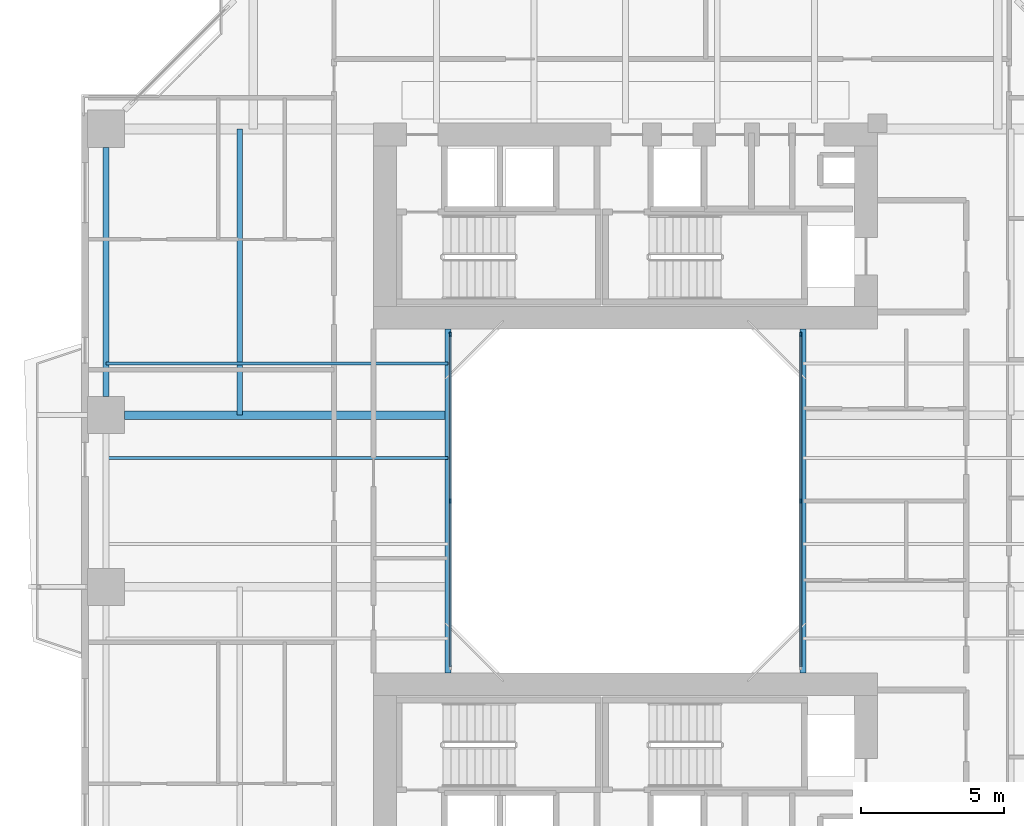
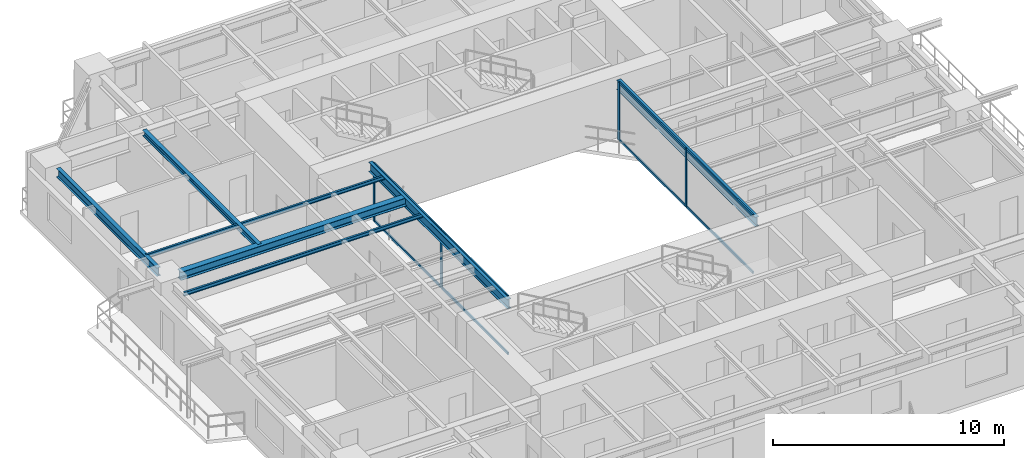
# One storey, part 4 of 22: 12 members, 7 beams, 2 elements without a shape of their own.
"""IFC4 building model written with IfcOpenShell, lengths in metres."""

import ifcopenshell
import ifcopenshell.guid

model = None  # the IFC model being written
_history = None  # IfcOwnerHistory: only IFC2X3 demands one
_inside = {}  # id of a spatial element -> (the spatial element, [elements in it])
_under = {}  # id of a project, library or spatial element -> (it, [spatial elements below it])
_declared = {}  # id of a project -> (the project, [libraries it declares])
_typed = {}  # id of a type object -> (the type object, [elements of that type])
_made_of = {}  # id of a material, layer set ... -> (it, [elements and type objects made of it])


def new_model(schema):
    """Start an empty IFC model of exactly this schema.

    Asked for "IFC4X3", IfcOpenShell would pick the latest addendum, in which some entities
    have other attributes; the version numbers below select the first issue.
    IFC2X3 requires an IfcOwnerHistory on every rooted entity: one is made here for all.
    """
    global model, _history
    if schema == "IFC4X3":
        model = ifcopenshell.file(schema_version=(4, 3, 0, 0))
    else:
        model = ifcopenshell.file(schema=schema)
    _inside.clear()
    _under.clear()
    _declared.clear()
    _typed.clear()
    _made_of.clear()
    _history = None
    if model.schema == "IFC2X3":
        org = make("IfcOrganization", Name="unknown")
        user = make(
            "IfcPersonAndOrganization",
            ThePerson=make("IfcPerson", FamilyName="unknown"),
            TheOrganization=org,
        )
        app = make(
            "IfcApplication",
            ApplicationDeveloper=org,
            Version="unknown",
            ApplicationFullName="unknown",
            ApplicationIdentifier="unknown",
        )
        _history = make(
            "IfcOwnerHistory",
            OwningUser=user,
            OwningApplication=app,
            ChangeAction="ADDED",
            CreationDate=0,
        )
    return model


def make(cls, **values):
    """One entity of the class cls with the attributes given. An attribute that is None is left unset."""
    return model.create_entity(
        cls, **{name: value for name, value in values.items() if value is not None}
    )


def rooted(cls, **values):
    """An entity with a GlobalId (a new one), such as an element, a storey or a relation."""
    return make(cls, GlobalId=ifcopenshell.guid.new(), OwnerHistory=_history, **values)


def si_unit(unit_type, name, prefix=None):
    """IfcSIUnit, for example si_unit("LENGTHUNIT", "METRE", prefix="MILLI")."""
    return make("IfcSIUnit", UnitType=unit_type, Prefix=prefix, Name=name)


def assignment(units):
    """IfcUnitAssignment: the units of a project."""
    return None if units is None else make("IfcUnitAssignment", Units=units)


def point(xyz):
    """IfcCartesianPoint."""
    return None if xyz is None else make("IfcCartesianPoint", Coordinates=xyz)


def direction(xyz):
    """IfcDirection."""
    return None if xyz is None else make("IfcDirection", DirectionRatios=xyz)


def frame(location, z_axis=None, x_axis=None):
    """IfcAxis2Placement3D, a coordinate frame: its origin and axes. An axis left out is left unset."""
    return make(
        "IfcAxis2Placement3D",
        Location=point(location),
        Axis=direction(z_axis),
        RefDirection=direction(x_axis),
    )


def frame_2d(location, x_axis=None):
    """IfcAxis2Placement2D, a coordinate frame in the plane: its origin and x axis."""
    return make(
        "IfcAxis2Placement2D", Location=point(location), RefDirection=direction(x_axis)
    )


def origin():
    """The frame at (0, 0, 0) with its axes left unset."""
    return frame((0.0, 0.0, 0.0))


def origin_2d():
    """The frame at (0, 0) in the plane with its x axis left unset."""
    return frame_2d((0.0, 0.0))


def place(relative_to, where):
    """IfcLocalPlacement: puts the frame where relative to a parent placement (None: the world)."""
    return make(
        "IfcLocalPlacement", PlacementRelTo=relative_to, RelativePlacement=where
    )


def context(
    kind, dimensions, precision=None, world=None, true_north=None, identifier=None
):
    """IfcGeometricRepresentationContext, for example the 3D "Model" context."""
    return make(
        "IfcGeometricRepresentationContext",
        ContextIdentifier=identifier,
        ContextType=kind,
        CoordinateSpaceDimension=dimensions,
        Precision=precision,
        WorldCoordinateSystem=world,
        TrueNorth=true_north,
    )


def subcontext(parent, identifier, kind, view, scale=None):
    """IfcGeometricRepresentationSubContext, for example "Body" below "Model"."""
    return make(
        "IfcGeometricRepresentationSubContext",
        ContextIdentifier=identifier,
        ContextType=kind,
        ParentContext=parent,
        TargetScale=scale,
        TargetView=view,
    )


def project(units=None, contexts=None):
    """IfcProject with its units and contexts."""
    return rooted(
        "IfcProject",
        Name="project",
        RepresentationContexts=contexts,
        UnitsInContext=assignment(units),
    )


def spatial(cls, under=None, at=None, **own):
    """A site, building, storey or space (cls), placed at a placement, below another one or the project."""
    s = rooted(cls, ObjectPlacement=at, **own)
    if under is not None:
        _under.setdefault(under.id(), (under, []))[1].append(s)
    return s


def profile(cls, at=None, kind="AREA", **sizes):
    """A parametric profile (cls). Its sizes go by their IFC names, for example OverallWidth=200.0."""
    return make(cls, ProfileType=kind, Position=at, **sizes)


def rectangle(**sizes):
    """IfcRectangleProfileDef."""
    return profile("IfcRectangleProfileDef", **sizes)


def i_section(**sizes):
    """IfcIShapeProfileDef."""
    return profile("IfcIShapeProfileDef", **sizes)


def extrude(swept, where, along, depth):
    """IfcExtrudedAreaSolid: the profile swept, set in the frame where, extruded along a direction by depth."""
    return make(
        "IfcExtrudedAreaSolid",
        SweptArea=swept,
        Position=where,
        ExtrudedDirection=direction(along),
        Depth=depth,
    )


def shape(context_of_items, identifier, shape_type, items):
    """IfcShapeRepresentation: the items that make up one representation, for example the "Body"."""
    return make(
        "IfcShapeRepresentation",
        ContextOfItems=context_of_items,
        RepresentationIdentifier=identifier,
        RepresentationType=shape_type,
        Items=items,
    )


def source(mapping_origin, context_of_items, identifier, shape_type, items):
    """IfcRepresentationMap: a shape defined once, which mapped items show again and again."""
    return make(
        "IfcRepresentationMap",
        MappingOrigin=mapping_origin,
        MappedRepresentation=shape(context_of_items, identifier, shape_type, items),
    )


def transform(
    local_origin,
    x_axis=None,
    y_axis=None,
    z_axis=None,
    scale=None,
    scale2=None,
    scale3=None,
    uniform=True,
):
    """IfcCartesianTransformationOperator3D, or its non-uniform kind. x_axis, y_axis, z_axis: its Axis1, 2, 3."""
    if uniform:
        return make(
            "IfcCartesianTransformationOperator3D",
            Axis1=direction(x_axis),
            Axis2=direction(y_axis),
            LocalOrigin=point(local_origin),
            Scale=scale,
            Axis3=direction(z_axis),
        )
    return make(
        "IfcCartesianTransformationOperator3DnonUniform",
        Axis1=direction(x_axis),
        Axis2=direction(y_axis),
        LocalOrigin=point(local_origin),
        Scale=scale,
        Axis3=direction(z_axis),
        Scale2=scale2,
        Scale3=scale3,
    )


def mapped(mapping_source, mapping_target):
    """IfcMappedItem: shows the shape of a source again, moved by a transform."""
    return make(
        "IfcMappedItem", MappingSource=mapping_source, MappingTarget=mapping_target
    )


def material(Name=None, Category=None):
    """IfcMaterial."""
    return make("IfcMaterial", Name=Name, Category=Category)


def layer(
    of_material, thickness, ventilated=None, Name=None, Category=None, Priority=None
):
    """IfcMaterialLayer: one layer of a wall or slab, of a material (None: an air gap)."""
    return make(
        "IfcMaterialLayer",
        Material=of_material,
        LayerThickness=thickness,
        IsVentilated=ventilated,
        Name=Name,
        Category=Category,
        Priority=Priority,
    )


def layer_set(layers, Name=None):
    """IfcMaterialLayerSet."""
    return make("IfcMaterialLayerSet", MaterialLayers=layers, LayerSetName=Name)


def material_profile(
    of_material, cross_section, Name=None, Category=None, Priority=None
):
    """IfcMaterialProfile: a cross section and its material."""
    return make(
        "IfcMaterialProfile",
        Name=Name,
        Material=of_material,
        Profile=cross_section,
        Priority=Priority,
        Category=Category,
    )


def profile_set(profiles, Name=None, composite=None):
    """IfcMaterialProfileSet."""
    return make(
        "IfcMaterialProfileSet",
        Name=Name,
        MaterialProfiles=profiles,
        CompositeProfile=composite,
    )


def made_of(thing, what):
    """Note that an element or type object is made of a material, layer set ...; save() writes the relation."""
    if what is not None:
        _made_of.setdefault(what.id(), (what, []))[1].append(thing)
    return thing


def type_object(cls, material=None, **own):
    """A type object (cls), such as IfcWallType, which elements share."""
    return made_of(rooted(cls, **own), material)


def element(
    cls,
    number,
    at=None,
    inside=None,
    cuts=None,
    type_object=None,
    material=None,
    context=None,
    identifier="Body",
    shape_type=None,
    held_by="IfcProductDefinitionShape",
    body=None,
    shapes=None,
    **own,
):
    """One element of the class cls, such as IfcWall. Its Tag is "e" and its number.

    at: its placement. inside: the storey or other place that contains it. cuts: it is an
    opening in that element (IfcRelVoidsElement). A single representation is given by context,
    identifier, shape_type and body (its items); several are given by shapes. held_by: the class
    of the entity that holds the representations. save() writes the other relations.
    """
    e = rooted(cls, Tag="e%d" % number, ObjectPlacement=at, **own)
    if body is not None:
        shapes = [shape(context, identifier, shape_type, body)]
    if shapes is not None:
        e.Representation = make(held_by, Representations=shapes)
    if inside is not None:
        _inside.setdefault(inside.id(), (inside, []))[1].append(e)
    if cuts is not None:
        rooted(
            "IfcRelVoidsElement", RelatingBuildingElement=cuts, RelatedOpeningElement=e
        )
    if type_object is not None:
        _typed.setdefault(type_object.id(), (type_object, []))[1].append(e)
    return made_of(e, material)


def aggregate(whole, parts):
    """IfcRelAggregates: a whole, such as a stair, and the parts it consists of."""
    return rooted("IfcRelAggregates", RelatingObject=whole, RelatedObjects=parts)


def save(model, path):
    """Write the relations noted so far, then the file.

    IfcRelAggregates (storeys below a building ...), IfcRelContainedInSpatialStructure (elements
    in a storey), IfcRelDefinesByType, IfcRelAssociatesMaterial and IfcRelDeclares: one each for
    every whole, place, type object, material and project.
    """
    for whole, parts in _under.values():
        aggregate(whole, parts)
    for where, things in _inside.values():
        rooted(
            "IfcRelContainedInSpatialStructure",
            RelatedElements=things,
            RelatingStructure=where,
        )
    for kind, things in _typed.values():
        rooted("IfcRelDefinesByType", RelatedObjects=things, RelatingType=kind)
    for what, things in _made_of.values():
        rooted("IfcRelAssociatesMaterial", RelatedObjects=things, RelatingMaterial=what)
    for by, libraries in _declared.values():
        rooted("IfcRelDeclares", RelatingContext=by, RelatedDefinitions=libraries)
    model.write(path)


model = new_model("IFC4")

# Units and contexts
model_context = context("Model", 3, precision=1e-05, world=origin(), true_north=direction((0.0, 1.0)))
body_context = subcontext(model_context, "Body", "Model", "MODEL_VIEW")
ifc_project = project(units=[si_unit("LENGTHUNIT", "METRE"), si_unit("AREAUNIT", "SQUARE_METRE"), si_unit("VOLUMEUNIT", "CUBIC_METRE"), si_unit("PLANEANGLEUNIT", "RADIAN"), si_unit("MASSUNIT", "GRAM", prefix="KILO"), si_unit("THERMODYNAMICTEMPERATUREUNIT", "KELVIN"), si_unit("POWERUNIT", "WATT")], contexts=[model_context])

# Site, building, storey
site_placement = place(None, origin())
site = spatial("IfcSite", under=ifc_project, at=site_placement, CompositionType="ELEMENT")
building_placement = place(site_placement, origin())
building = spatial("IfcBuilding", under=site, at=building_placement, Name="Qiaomeng Ring Towers", CompositionType="ELEMENT")
storey_placement = place(building_placement, frame((0.0, 0.0, 53.5)))
storey = spatial("IfcBuildingStorey", under=building, at=storey_placement, Name="L14", CompositionType="ELEMENT", Elevation=53.5)

# Beams
ifc_material_1 = material(Name="Steel Q355B", Category="steel")
ifc_material_profile_1 = material_profile(ifc_material_1, i_section(OverallWidth=0.199951171875, OverallDepth=0.5, WebThickness=0.010009765625, FlangeThickness=0.01611328125, FilletRadius=0.02001953125, at=origin_2d()), Name="HN 500x200x10x16")
ifc_profile_set_1 = profile_set([ifc_material_profile_1], Name="Steel Q355B")
beam_type_1 = type_object("IfcBeamType", Name="STR-BM-HN500", PredefinedType="BEAM", material=ifc_profile_set_1)
shared_shape_1 = source(origin(), body_context, "Body", "SweptSolid", [
    extrude(i_section(OverallWidth=0.199951171875, OverallDepth=0.5, WebThickness=0.010009765625, FlangeThickness=0.01611328125, FilletRadius=0.02001953125, at=origin_2d()), origin(), (0.0, 0.0, 1.0), 12.0),
])
for number, where, z_axis, x_axis, name in (
    (1, (12.800048828125, 17.0, 2.820068359375), (0.0, 1.0, 0.0), (-1.0, 0.0, 0.0), "L14 beam STR-BM-L14-WELL-W"),
    (2, (25.199951171875, 17.0, 2.820068359375), (0.0, 1.0, 0.0), (-1.0, 0.0, 0.0), "L14 beam STR-BM-L14-WELL-E"),
):
    element("IfcBeam", number, at=place(storey_placement, frame(where, z_axis=z_axis, x_axis=x_axis)), inside=storey, type_object=beam_type_1, Name=name, PredefinedType="BEAM", context=body_context, shape_type="MappedRepresentation", body=[
        mapped(shared_shape_1, transform((0.0, 0.0, 0.0), x_axis=(1.0, 0.0, 0.0), y_axis=(0.0, 1.0, 0.0), z_axis=(0.0, 0.0, 1.0), scale=1.0)),
    ])
ifc_material_profile_2 = material_profile(ifc_material_1, i_section(OverallWidth=0.199951171875, OverallDepth=0.449951171875, WebThickness=0.009033203125, FlangeThickness=0.013916015625, FilletRadius=0.01806640625, at=origin_2d()), Name="HN 450x200x9x14")
ifc_profile_set_2 = profile_set([ifc_material_profile_2], Name="Steel Q355B")
beam_type_2 = type_object("IfcBeamType", Name="STR-BM-HN450", PredefinedType="SPANDREL", material=ifc_profile_set_2)
shared_shape_2 = source(origin(), body_context, "Body", "SweptSolid", [
    extrude(i_section(OverallWidth=0.199951171875, OverallDepth=0.449951171875, WebThickness=0.009033203125, FlangeThickness=0.013916015625, FilletRadius=0.01806640625, at=origin_2d()), origin(), (0.0, 0.0, 1.0), 8.7021484375),
])
beam_1_placement = place(storey_placement, frame((0.85009765625, 35.35107421875, 2.844970703125), z_axis=(0.0, -1.0, 0.0), x_axis=(1.0, 0.0, 0.0)))
element("IfcBeam", 3, at=beam_1_placement, inside=storey, type_object=beam_type_2, Name="L14 beam STR-SP-L14-T1-W4-W3", PredefinedType="SPANDREL", context=body_context, shape_type="MappedRepresentation", body=[
    mapped(shared_shape_2, transform((0.0, 0.0, 0.0), x_axis=(1.0, 0.0, 0.0), y_axis=(0.0, 1.0, 0.0), z_axis=(0.0, 0.0, 1.0), scale=1.0)),
])
ifc_material_profile_3 = material_profile(ifc_material_1, i_section(OverallWidth=0.300048828125, OverallDepth=0.43994140625, WebThickness=0.010986328125, FlangeThickness=0.01806640625, FilletRadius=0.02392578125, at=origin_2d()), Name="HM 440x300x11x18")
ifc_profile_set_3 = profile_set([ifc_material_profile_3], Name="Steel Q355B")
beam_type_3 = type_object("IfcBeamType", Name="STR-BM-HM440", PredefinedType="BEAM", material=ifc_profile_set_3)
shared_shape_3 = source(origin(), body_context, "Body", "SweptSolid", [
    extrude(i_section(OverallWidth=0.300048828125, OverallDepth=0.43994140625, WebThickness=0.010986328125, FlangeThickness=0.01806640625, FilletRadius=0.02392578125, at=origin_2d()), origin(), (0.0, 0.0, 1.0), 11.301025390625),
])
beam_2_placement = place(storey_placement, frame((1.4990234375, 26.0, 2.85009765625), z_axis=(1.0, 0.0, 0.0), x_axis=(0.0, 1.0, 0.0)))
element("IfcBeam", 4, at=beam_2_placement, inside=storey, type_object=beam_type_3, Name="L14 beam STR-BM-L14-T1-RAD-W3", PredefinedType="BEAM", context=body_context, shape_type="MappedRepresentation", body=[
    mapped(shared_shape_3, transform((0.0, 0.0, 0.0), x_axis=(1.0, 0.0, 0.0), y_axis=(0.0, 1.0, 0.0), z_axis=(0.0, 0.0, 1.0), scale=1.0)),
])
ifc_material_profile_4 = material_profile(ifc_material_1, i_section(OverallWidth=0.10009765625, OverallDepth=0.199951171875, WebThickness=0.005615234375, FlangeThickness=0.008056640625, FilletRadius=0.010986328125, at=origin_2d()), Name="HN 200x100x5.5x8")
ifc_profile_set_4 = profile_set([ifc_material_profile_4], Name="Steel Q355B")
beam_type_4 = type_object("IfcBeamType", Name="STR-BM-HN200", PredefinedType="JOIST", material=ifc_profile_set_4)
shared_shape_4 = source(origin(), body_context, "Body", "SweptSolid", [
    extrude(i_section(OverallWidth=0.10009765625, OverallDepth=0.199951171875, WebThickness=0.005615234375, FlangeThickness=0.008056640625, FilletRadius=0.010986328125, at=origin_2d()), origin(), (0.0, 0.0, 1.0), 11.949951171875),
])
for number, where, z_axis, x_axis, name in (
    (5, (0.85009765625, 24.5, 2.969970703125), (1.0, 0.0, 0.0), (0.0, 1.0, 0.0), "L14 beam STR-JST-L14-T1W-3"),
    (6, (0.85009765625, 27.800048828125, 2.969970703125), (1.0, 0.0, 0.0), (0.0, 1.0, 0.0), "L14 beam STR-JST-L14-T1W-4"),
):
    element("IfcBeam", number, at=place(storey_placement, frame(where, z_axis=z_axis, x_axis=x_axis)), inside=storey, type_object=beam_type_4, Name=name, PredefinedType="JOIST", context=body_context, shape_type="MappedRepresentation", body=[
        mapped(shared_shape_4, transform((0.0, 0.0, 0.0), x_axis=(1.0, 0.0, 0.0), y_axis=(0.0, 1.0, 0.0), z_axis=(0.0, 0.0, 1.0), scale=1.0)),
    ])
ifc_material_profile_5 = material_profile(ifc_material_1, i_section(OverallWidth=0.199951171875, OverallDepth=0.2939453125, WebThickness=0.008056640625, FlangeThickness=0.011962890625, FilletRadius=0.01806640625, at=origin_2d()), Name="HM 294x200x8x12")
ifc_profile_set_5 = profile_set([ifc_material_profile_5], Name="Steel Q355B")
beam_type_5 = type_object("IfcBeamType", Name="STR-BM-HM294", PredefinedType="JOIST", material=ifc_profile_set_5)
shared_shape_5 = source(origin(), body_context, "Body", "SweptSolid", [
    extrude(i_section(OverallWidth=0.199951171875, OverallDepth=0.2939453125, WebThickness=0.008056640625, FlangeThickness=0.011962890625, FilletRadius=0.01806640625, at=origin_2d()), origin(), (0.0, 0.0, 1.0), 10.0),
])
beam_3_placement = place(storey_placement, frame((5.52490234375, 26.0, 2.923095703125), z_axis=(0.0, 1.0, 0.0), x_axis=(-1.0, 0.0, 0.0)))
element("IfcBeam", 7, at=beam_3_placement, inside=storey, type_object=beam_type_5, Name="L14 beam STR-JST-L14-T1C-WN", PredefinedType="JOIST", context=body_context, shape_type="MappedRepresentation", body=[
    mapped(shared_shape_5, transform((0.0, 0.0, 0.0), x_axis=(1.0, 0.0, 0.0), y_axis=(0.0, 1.0, 0.0), z_axis=(0.0, 0.0, 1.0), scale=1.0)),
])

# Curtain wall, members
ifc_material_2 = material(Name="Fluorocarbon dark-grey aluminium", Category="aluminium")
ifc_layer = layer(ifc_material_2, 0.139892578125, Name="Fluorocarbon dark-grey aluminium")
ifc_layer_set = layer_set([ifc_layer], Name="Fluorocarbon dark-grey aluminium")
curtain_wall_type = type_object("IfcCurtainWallType", Name="ARC-CW-4", PredefinedType="NOTDEFINED", material=ifc_layer_set)
curtain_wall_1_placement = place(storey_placement, origin())
curtain_wall_1 = element("IfcCurtainWall", 8, at=curtain_wall_1_placement, inside=storey, type_object=curtain_wall_type, Name="L14 Curtain Wall CW4", PredefinedType="NOTDEFINED")
ifc_material_profile_6 = material_profile(ifc_material_2, rectangle(XDim=0.06494140625, YDim=0.159912109375, at=origin_2d()), Name="ALU MULL 65x160")
ifc_profile_set_6 = profile_set([ifc_material_profile_6], Name="Fluorocarbon dark-grey aluminium")
member_type_1 = type_object("IfcMemberType", Name="ARC-CWM-140", PredefinedType="MULLION", material=ifc_profile_set_6)
shared_shape_6 = source(origin(), body_context, "Body", "SweptSolid", [
    extrude(rectangle(XDim=0.06494140625, YDim=0.159912109375, at=origin_2d()), origin(), (0.0, 0.0, 1.0), 3.070068359375),
])
member_1_placement = place(storey_placement, frame((12.8798828125, 23.0, 0.0), z_axis=(0.0, 0.0, 1.0), x_axis=(-1.0, 0.0, 0.0)))
member_1 = element("IfcMember", 9, at=member_1_placement, type_object=member_type_1, Name="CW4 mullion 2", PredefinedType="MULLION", context=body_context, shape_type="MappedRepresentation", body=[
    mapped(shared_shape_6, transform((0.0, 0.0, 0.0), x_axis=(1.0, 0.0, 0.0), y_axis=(0.0, 1.0, 0.0), z_axis=(0.0, 0.0, 1.0), scale=1.0)),
])
member_2_placement = place(storey_placement, frame((12.8798828125, 28.8173828125, 0.0), z_axis=(0.0, 0.0, 1.0), x_axis=(-1.0, 0.0, 0.0)))
member_2 = element("IfcMember", 10, at=member_2_placement, type_object=member_type_1, Name="CW4 mullion 3", PredefinedType="MULLION", context=body_context, shape_type="MappedRepresentation", body=[
    mapped(shared_shape_6, transform((0.0, 0.0, 0.0), x_axis=(1.0, 0.0, 0.0), y_axis=(0.0, 1.0, 0.0), z_axis=(0.0, 0.0, 1.0), scale=1.0)),
])

curtain_wall_2_placement = place(storey_placement, origin())
curtain_wall_2 = element("IfcCurtainWall", 11, at=curtain_wall_2_placement, inside=storey, type_object=curtain_wall_type, Name="L14 Curtain Wall CW4", PredefinedType="NOTDEFINED")
member_3_placement = place(storey_placement, frame((25.1201171875, 23.0, 0.0), z_axis=(0.0, 0.0, 1.0), x_axis=(-1.0, 0.0, 0.0)))
member_3 = element("IfcMember", 12, at=member_3_placement, type_object=member_type_1, Name="CW4 mullion 2", PredefinedType="MULLION", context=body_context, shape_type="MappedRepresentation", body=[
    mapped(shared_shape_6, transform((0.0, 0.0, 0.0), x_axis=(1.0, 0.0, 0.0), y_axis=(0.0, 1.0, 0.0), z_axis=(0.0, 0.0, 1.0), scale=1.0)),
])
member_4_placement = place(storey_placement, frame((25.1201171875, 28.8173828125, 0.0), z_axis=(0.0, 0.0, 1.0), x_axis=(-1.0, 0.0, 0.0)))
member_4 = element("IfcMember", 13, at=member_4_placement, type_object=member_type_1, Name="CW4 mullion 3", PredefinedType="MULLION", context=body_context, shape_type="MappedRepresentation", body=[
    mapped(shared_shape_6, transform((0.0, 0.0, 0.0), x_axis=(1.0, 0.0, 0.0), y_axis=(0.0, 1.0, 0.0), z_axis=(0.0, 0.0, 1.0), scale=1.0)),
])

# Member
ifc_material_profile_7 = material_profile(ifc_material_2, rectangle(XDim=0.06494140625, YDim=0.1298828125, at=origin_2d()), Name="ALU TRAN 65x130")
ifc_profile_set_7 = profile_set([ifc_material_profile_7], Name="Fluorocarbon dark-grey aluminium")
member_type_2 = type_object("IfcMemberType", Name="ARC-CWT-120", PredefinedType="USERDEFINED", material=ifc_profile_set_7)
shared_shape_7 = source(origin(), body_context, "Body", "SweptSolid", [
    extrude(rectangle(XDim=0.06494140625, YDim=0.1298828125, at=origin_2d()), origin(), (0.0, 0.0, 1.0), 5.75244140625),
])
member_5_placement = place(storey_placement, frame((12.8798828125, 17.215087890625, 0.032470703125), z_axis=(0.0, 1.0, 0.0), x_axis=(-1.0, 0.0, 0.0)))
member_5 = element("IfcMember", 14, at=member_5_placement, type_object=member_type_2, Name="CW4 transom 1.1", ObjectType="TRANSOM", PredefinedType="USERDEFINED", context=body_context, shape_type="MappedRepresentation", body=[
    mapped(shared_shape_7, transform((0.0, 0.0, 0.0), x_axis=(1.0, 0.0, 0.0), y_axis=(0.0, 1.0, 0.0), z_axis=(0.0, 0.0, 1.0), scale=1.0)),
])

member_6_placement = place(storey_placement, frame((12.8798828125, 17.215087890625, 3.03759765625), z_axis=(0.0, 1.0, 0.0), x_axis=(-1.0, 0.0, 0.0)))
member_6 = element("IfcMember", 15, at=member_6_placement, type_object=member_type_2, Name="CW4 transom 1.2", ObjectType="TRANSOM", PredefinedType="USERDEFINED", context=body_context, shape_type="MappedRepresentation", body=[
    mapped(shared_shape_7, transform((0.0, 0.0, 0.0), x_axis=(1.0, 0.0, 0.0), y_axis=(0.0, 1.0, 0.0), z_axis=(0.0, 0.0, 1.0), scale=1.0)),
])

member_7_placement = place(storey_placement, frame((12.8798828125, 23.032470703125, 0.032470703125), z_axis=(0.0, 1.0, 0.0), x_axis=(-1.0, 0.0, 0.0)))
member_7 = element("IfcMember", 16, at=member_7_placement, type_object=member_type_2, Name="CW4 transom 2.1", ObjectType="TRANSOM", PredefinedType="USERDEFINED", context=body_context, shape_type="MappedRepresentation", body=[
    mapped(shared_shape_7, transform((0.0, 0.0, 0.0), x_axis=(1.0, 0.0, 0.0), y_axis=(0.0, 1.0, 0.0), z_axis=(0.0, 0.0, 1.0), scale=1.0)),
])

member_8_placement = place(storey_placement, frame((12.8798828125, 23.032470703125, 3.03759765625), z_axis=(0.0, 1.0, 0.0), x_axis=(-1.0, 0.0, 0.0)))
member_8 = element("IfcMember", 17, at=member_8_placement, type_object=member_type_2, Name="CW4 transom 2.2", ObjectType="TRANSOM", PredefinedType="USERDEFINED", context=body_context, shape_type="MappedRepresentation", body=[
    mapped(shared_shape_7, transform((0.0, 0.0, 0.0), x_axis=(1.0, 0.0, 0.0), y_axis=(0.0, 1.0, 0.0), z_axis=(0.0, 0.0, 1.0), scale=1.0)),
])

aggregate(curtain_wall_1, [member_1, member_2, member_5, member_6, member_7, member_8])

member_9_placement = place(storey_placement, frame((25.1201171875, 17.215087890625, 0.032470703125), z_axis=(0.0, 1.0, 0.0), x_axis=(-1.0, 0.0, 0.0)))
member_9 = element("IfcMember", 18, at=member_9_placement, type_object=member_type_2, Name="CW4 transom 1.1", ObjectType="TRANSOM", PredefinedType="USERDEFINED", context=body_context, shape_type="MappedRepresentation", body=[
    mapped(shared_shape_7, transform((0.0, 0.0, 0.0), x_axis=(1.0, 0.0, 0.0), y_axis=(0.0, 1.0, 0.0), z_axis=(0.0, 0.0, 1.0), scale=1.0)),
])

member_10_placement = place(storey_placement, frame((25.1201171875, 17.215087890625, 3.03759765625), z_axis=(0.0, 1.0, 0.0), x_axis=(-1.0, 0.0, 0.0)))
member_10 = element("IfcMember", 19, at=member_10_placement, type_object=member_type_2, Name="CW4 transom 1.2", ObjectType="TRANSOM", PredefinedType="USERDEFINED", context=body_context, shape_type="MappedRepresentation", body=[
    mapped(shared_shape_7, transform((0.0, 0.0, 0.0), x_axis=(1.0, 0.0, 0.0), y_axis=(0.0, 1.0, 0.0), z_axis=(0.0, 0.0, 1.0), scale=1.0)),
])

member_11_placement = place(storey_placement, frame((25.1201171875, 23.032470703125, 0.032470703125), z_axis=(0.0, 1.0, 0.0), x_axis=(-1.0, 0.0, 0.0)))
member_11 = element("IfcMember", 20, at=member_11_placement, type_object=member_type_2, Name="CW4 transom 2.1", ObjectType="TRANSOM", PredefinedType="USERDEFINED", context=body_context, shape_type="MappedRepresentation", body=[
    mapped(shared_shape_7, transform((0.0, 0.0, 0.0), x_axis=(1.0, 0.0, 0.0), y_axis=(0.0, 1.0, 0.0), z_axis=(0.0, 0.0, 1.0), scale=1.0)),
])

member_12_placement = place(storey_placement, frame((25.1201171875, 23.032470703125, 3.03759765625), z_axis=(0.0, 1.0, 0.0), x_axis=(-1.0, 0.0, 0.0)))
member_12 = element("IfcMember", 21, at=member_12_placement, type_object=member_type_2, Name="CW4 transom 2.2", ObjectType="TRANSOM", PredefinedType="USERDEFINED", context=body_context, shape_type="MappedRepresentation", body=[
    mapped(shared_shape_7, transform((0.0, 0.0, 0.0), x_axis=(1.0, 0.0, 0.0), y_axis=(0.0, 1.0, 0.0), z_axis=(0.0, 0.0, 1.0), scale=1.0)),
])

aggregate(curtain_wall_2, [member_3, member_4, member_9, member_10, member_11, member_12])

save(model, "model.ifc")
